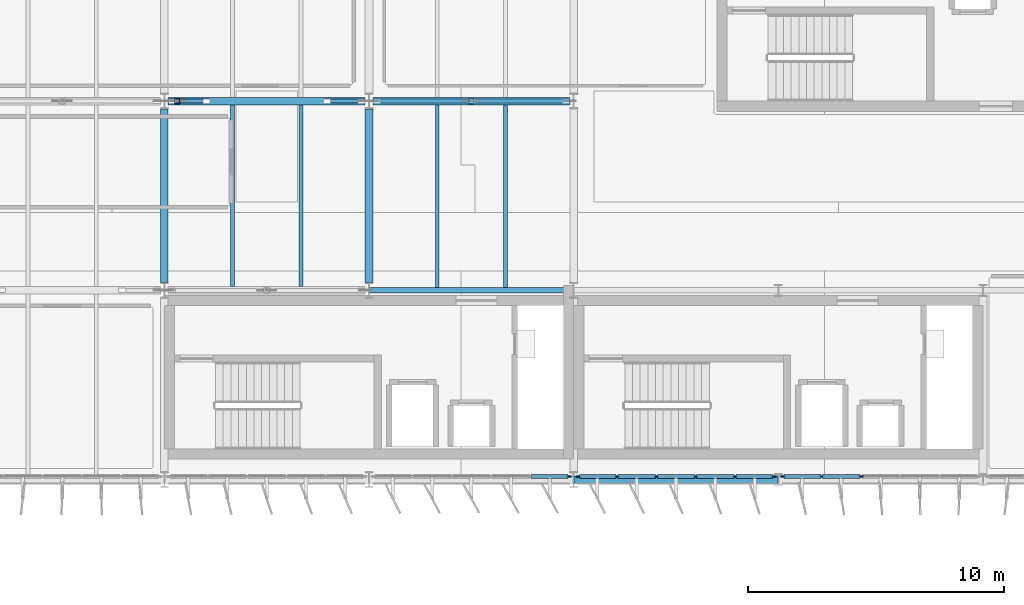
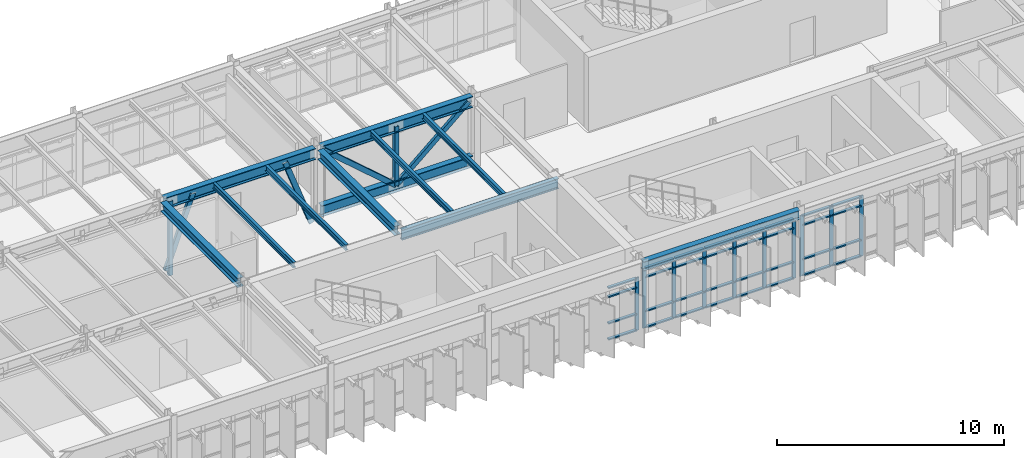
# One storey, part 12 of 56: 51 members, 8 beams, 3 elements without a shape of their own.
"""IFC4 building model written with IfcOpenShell, lengths in metres."""

from ifc_helpers import new_model, si_unit, direction, frame, origin, origin_2d, place, context, subcontext, project, spatial, rectangle, hollow_rectangle, i_section, extrude, material, layer, layer_set, material_profile, profile_set, type_object, element, aggregate, save


model = new_model("IFC4")

# Units and contexts
model_context = context("Model", 3, precision=1e-05, world=origin(), true_north=direction((0.0, 1.0)))
body_context = subcontext(model_context, "Body", "Model", "MODEL_VIEW")
ifc_project = project(units=[si_unit("LENGTHUNIT", "METRE"), si_unit("AREAUNIT", "SQUARE_METRE"), si_unit("VOLUMEUNIT", "CUBIC_METRE"), si_unit("PLANEANGLEUNIT", "RADIAN"), si_unit("MASSUNIT", "GRAM", prefix="KILO")], contexts=[model_context])

# Site, building, storey
site_placement = place(None, origin())
site = spatial("IfcSite", under=ifc_project, at=site_placement, CompositionType="ELEMENT")
building_placement = place(site_placement, origin())
building = spatial("IfcBuilding", under=site, at=building_placement, Name="Valkorina Park Police Headquarters", CompositionType="ELEMENT")
storey_placement = place(building_placement, frame((0.0, 0.0, 14.10009765625)))
storey = spatial("IfcBuildingStorey", under=building, at=storey_placement, Name="L04", CompositionType="ELEMENT", Elevation=14.10009765625)

# Beams
ifc_material_1 = material(Name="Steel S355", Category="steel")
ifc_material_profile_1 = material_profile(ifc_material_1, i_section(OverallWidth=0.300048828125, OverallDepth=0.489990234375, WebThickness=0.011962890625, FlangeThickness=0.02294921875, FilletRadius=0.027099609375, at=origin_2d()), Name="HEA 500")
ifc_profile_set_1 = profile_set([ifc_material_profile_1], Name="Steel S355")
beam_type_1 = type_object("IfcBeamType", Name="BM-S355-HEA500-BM", PredefinedType="BEAM", material=ifc_profile_set_1)
for number, where, z_axis, x_axis, name in (
    (1, (16.800048828125, 44.699951171875, 3.510009765625), (0.0, 1.0, 0.0), (-1.0, 0.0, 0.0), "L04 Framing Beam 2310"),
    (2, (24.800048828125, 44.699951171875, 3.510009765625), (0.0, 1.0, 0.0), (-1.0, 0.0, 0.0), "L04 Framing Beam 2316"),
):
    element("IfcBeam", number, at=place(storey_placement, frame(where, z_axis=z_axis, x_axis=x_axis)), inside=storey, type_object=beam_type_1, Name=name, PredefinedType="BEAM", context=body_context, shape_type="SweptSolid", body=[
        extrude(i_section(OverallWidth=0.300048828125, OverallDepth=0.489990234375, WebThickness=0.011962890625, FlangeThickness=0.02294921875, FilletRadius=0.027099609375, at=origin_2d()), origin(), (0.0, 0.0, 1.0), 6.800048828125),
    ])
ifc_material_profile_2 = material_profile(ifc_material_1, i_section(OverallWidth=0.300048828125, OverallDepth=0.489990234375, WebThickness=0.011962890625, FlangeThickness=0.02294921875, FilletRadius=0.027099609375, at=origin_2d()), Name="HEA 500")
ifc_profile_set_2 = profile_set([ifc_material_profile_2], Name="Steel S355")
beam_type_2 = type_object("IfcBeamType", Name="BM-S355-HEA500-SPN", PredefinedType="SPANDREL", material=ifc_profile_set_2)
beam_1_placement = place(storey_placement, frame((32.8076171875, 37.0, 3.510009765625), z_axis=(1.0, 0.0, 0.0), x_axis=(0.0, 1.0, 0.0)))
element("IfcBeam", 3, at=beam_1_placement, inside=storey, type_object=beam_type_2, Name="L04 Framing Beam 2218", PredefinedType="SPANDREL", context=body_context, shape_type="SweptSolid", body=[
    extrude(i_section(OverallWidth=0.300048828125, OverallDepth=0.489990234375, WebThickness=0.011962890625, FlangeThickness=0.02294921875, FilletRadius=0.027099609375, at=origin_2d()), origin(), (0.0, 0.0, 1.0), 7.9853515625),
])
ifc_material_profile_3 = material_profile(ifc_material_1, i_section(OverallWidth=0.14990234375, OverallDepth=0.300048828125, WebThickness=0.007080078125, FlangeThickness=0.0107421875, FilletRadius=0.014892578125, at=origin_2d()), Name="IPE 300")
ifc_profile_set_3 = profile_set([ifc_material_profile_3], Name="Steel S355")
beam_type_3 = type_object("IfcBeamType", Name="BM-S355-IPE300-JST", PredefinedType="JOIST", material=ifc_profile_set_3)
for number, where, z_axis, x_axis, name in (
    (4, (19.466796875, 44.550048828125, 3.60498046875), (0.0, 1.0, 0.0), (-1.0, 0.0, 0.0), "L04 Framing Beam 2311"),
    (5, (22.13330078125, 44.550048828125, 3.60498046875), (0.0, 1.0, 0.0), (-1.0, 0.0, 0.0), "L04 Framing Beam 2312"),
):
    element("IfcBeam", number, at=place(storey_placement, frame(where, z_axis=z_axis, x_axis=x_axis)), inside=storey, type_object=beam_type_3, Name=name, PredefinedType="JOIST", context=body_context, shape_type="SweptSolid", body=[
        extrude(i_section(OverallWidth=0.14990234375, OverallDepth=0.300048828125, WebThickness=0.007080078125, FlangeThickness=0.0107421875, FilletRadius=0.014892578125, at=origin_2d()), origin(), (0.0, 0.0, 1.0), 7.099853515625),
    ])
for number, where, z_axis, x_axis, name in (
    (6, (27.466796875, 44.5048828125, 3.60498046875), (0.0, 1.0, 0.0), (-1.0, 0.0, 0.0), "L04 Framing Beam 2317"),
    (7, (30.13330078125, 44.5048828125, 3.60498046875), (0.0, 1.0, 0.0), (-1.0, 0.0, 0.0), "L04 Framing Beam 2318"),
):
    element("IfcBeam", number, at=place(storey_placement, frame(where, z_axis=z_axis, x_axis=x_axis)), inside=storey, type_object=beam_type_3, Name=name, PredefinedType="JOIST", context=body_context, shape_type="SweptSolid", body=[
        extrude(i_section(OverallWidth=0.14990234375, OverallDepth=0.300048828125, WebThickness=0.007080078125, FlangeThickness=0.0107421875, FilletRadius=0.014892578125, at=origin_2d()), origin(), (0.0, 0.0, 1.0), 7.14501953125),
    ])
ifc_material_profile_4 = material_profile(ifc_material_1, i_section(OverallWidth=0.2099609375, OverallDepth=0.550048828125, WebThickness=0.010986328125, FlangeThickness=0.01708984375, FilletRadius=0.02392578125, at=origin_2d()), Name="IPE 550")
ifc_profile_set_4 = profile_set([ifc_material_profile_4], Name="Steel S355")
beam_type_4 = type_object("IfcBeamType", Name="BM-S355-IPE550-BM", PredefinedType="BEAM", material=ifc_profile_set_4)
beam_2_placement = place(storey_placement, frame((24.8076171875, 44.39990234375, 3.47998046875), z_axis=(1.0, 0.0, 0.0), x_axis=(0.0, 1.0, 0.0)))
element("IfcBeam", 8, at=beam_2_placement, inside=storey, type_object=beam_type_4, Name="L04 Framing Beam 2229", PredefinedType="BEAM", context=body_context, shape_type="SweptSolid", body=[
    extrude(i_section(OverallWidth=0.2099609375, OverallDepth=0.550048828125, WebThickness=0.010986328125, FlangeThickness=0.01708984375, FilletRadius=0.02392578125, at=origin_2d()), origin(), (0.0, 0.0, 1.0), 7.984619140625),
])

# Curtain wall, members
ifc_material_2 = material(Name="Thermally broken aluminium AW-6060", Category="aluminium")
ifc_layer_1 = layer(ifc_material_2, 0.18994140625)
ifc_layer_set_1 = layer_set([ifc_layer_1], Name="Thermally broken aluminium AW-6060")
curtain_wall_type_1 = type_object("IfcCurtainWallType", Name="CW-V5-7680x3260", PredefinedType="NOTDEFINED", material=ifc_layer_set_1)
curtain_wall_1_placement = place(storey_placement, origin())
curtain_wall_1 = element("IfcCurtainWall", 9, at=curtain_wall_1_placement, inside=storey, type_object=curtain_wall_type_1, Name="L04 Unitised Curtain Wall 052", PredefinedType="NOTDEFINED")
ifc_material_profile_5 = material_profile(ifc_material_2, rectangle(XDim=0.070068359375, YDim=0.18994140625, at=origin_2d()), Name="CWM-02 70x190")
ifc_profile_set_5 = profile_set([ifc_material_profile_5], Name="Thermally broken aluminium AW-6060")
member_type_1 = type_object("IfcMemberType", Name="CWM-70x190", PredefinedType="MULLION", material=ifc_profile_set_5)
member_1_placement = place(storey_placement, frame((44.031982421875, 37.1201171875, 0.0), z_axis=(0.0, 0.0, 1.0), x_axis=(0.0, -1.0, 0.0)))
member_1 = element("IfcMember", 10, at=member_1_placement, type_object=member_type_1, Name="CW-V5-768-326 mullion 4", PredefinedType="MULLION", context=body_context, shape_type="SweptSolid", body=[
    extrude(rectangle(XDim=0.070068359375, YDim=0.18994140625, at=origin_2d()), origin(), (0.0, 0.0, 1.0), 3.2548828125),
])
member_2_placement = place(storey_placement, frame((42.49609375, 37.1201171875, 0.0), z_axis=(0.0, 0.0, 1.0), x_axis=(0.0, -1.0, 0.0)))
member_2 = element("IfcMember", 11, at=member_2_placement, type_object=member_type_1, Name="CW-V5-768-326 mullion 5", PredefinedType="MULLION", context=body_context, shape_type="SweptSolid", body=[
    extrude(rectangle(XDim=0.070068359375, YDim=0.18994140625, at=origin_2d()), origin(), (0.0, 0.0, 1.0), 3.2548828125),
])
member_3_placement = place(storey_placement, frame((40.9951171875, 37.1201171875, 0.0), z_axis=(0.0, 0.0, 1.0), x_axis=(0.0, -1.0, 0.0)))
member_3 = element("IfcMember", 12, at=member_3_placement, type_object=member_type_1, Name="CW-V5-768-326 mullion 6", PredefinedType="MULLION", context=body_context, shape_type="SweptSolid", body=[
    extrude(rectangle(XDim=0.070068359375, YDim=0.18994140625, at=origin_2d()), origin(), (0.0, 0.0, 1.0), 3.2548828125),
])

curtain_wall_2_placement = place(storey_placement, origin())
curtain_wall_2 = element("IfcCurtainWall", 13, at=curtain_wall_2_placement, inside=storey, type_object=curtain_wall_type_1, Name="L04 Unitised Curtain Wall 053", PredefinedType="NOTDEFINED")
member_4_placement = place(storey_placement, frame((40.60498046875, 37.1201171875, 0.0), z_axis=(0.0, 0.0, 1.0), x_axis=(0.0, -1.0, 0.0)))
member_4 = element("IfcMember", 14, at=member_4_placement, type_object=member_type_1, Name="CW-V5-768-326 mullion 1", PredefinedType="MULLION", context=body_context, shape_type="SweptSolid", body=[
    extrude(rectangle(XDim=0.070068359375, YDim=0.18994140625, at=origin_2d()), origin(), (0.0, 0.0, 1.0), 3.2548828125),
])
member_5_placement = place(storey_placement, frame((39.10400390625, 37.1201171875, 0.0), z_axis=(0.0, 0.0, 1.0), x_axis=(0.0, -1.0, 0.0)))
member_5 = element("IfcMember", 15, at=member_5_placement, type_object=member_type_1, Name="CW-V5-768-326 mullion 2", PredefinedType="MULLION", context=body_context, shape_type="SweptSolid", body=[
    extrude(rectangle(XDim=0.070068359375, YDim=0.18994140625, at=origin_2d()), origin(), (0.0, 0.0, 1.0), 3.2548828125),
])
member_6_placement = place(storey_placement, frame((37.568115234375, 37.1201171875, 0.0), z_axis=(0.0, 0.0, 1.0), x_axis=(0.0, -1.0, 0.0)))
member_6 = element("IfcMember", 16, at=member_6_placement, type_object=member_type_1, Name="CW-V5-768-326 mullion 3", PredefinedType="MULLION", context=body_context, shape_type="SweptSolid", body=[
    extrude(rectangle(XDim=0.070068359375, YDim=0.18994140625, at=origin_2d()), origin(), (0.0, 0.0, 1.0), 3.2548828125),
])
member_7_placement = place(storey_placement, frame((36.031982421875, 37.1201171875, 0.0), z_axis=(0.0, 0.0, 1.0), x_axis=(0.0, -1.0, 0.0)))
member_7 = element("IfcMember", 17, at=member_7_placement, type_object=member_type_1, Name="CW-V5-768-326 mullion 4", PredefinedType="MULLION", context=body_context, shape_type="SweptSolid", body=[
    extrude(rectangle(XDim=0.070068359375, YDim=0.18994140625, at=origin_2d()), origin(), (0.0, 0.0, 1.0), 3.2548828125),
])
member_8_placement = place(storey_placement, frame((34.49609375, 37.1201171875, 0.0), z_axis=(0.0, 0.0, 1.0), x_axis=(0.0, -1.0, 0.0)))
member_8 = element("IfcMember", 18, at=member_8_placement, type_object=member_type_1, Name="CW-V5-768-326 mullion 5", PredefinedType="MULLION", context=body_context, shape_type="SweptSolid", body=[
    extrude(rectangle(XDim=0.070068359375, YDim=0.18994140625, at=origin_2d()), origin(), (0.0, 0.0, 1.0), 3.2548828125),
])
member_9_placement = place(storey_placement, frame((32.9951171875, 37.1201171875, 0.0), z_axis=(0.0, 0.0, 1.0), x_axis=(0.0, -1.0, 0.0)))
member_9 = element("IfcMember", 19, at=member_9_placement, type_object=member_type_1, Name="CW-V5-768-326 mullion 6", PredefinedType="MULLION", context=body_context, shape_type="SweptSolid", body=[
    extrude(rectangle(XDim=0.070068359375, YDim=0.18994140625, at=origin_2d()), origin(), (0.0, 0.0, 1.0), 3.2548828125),
])

# Curtain wall, member
ifc_layer_2 = layer(ifc_material_2, 0.18994140625)
ifc_layer_set_2 = layer_set([ifc_layer_2], Name="Thermally broken aluminium AW-6060")
curtain_wall_type_2 = type_object("IfcCurtainWallType", Name="CW-V5-7680x2840", PredefinedType="NOTDEFINED", material=ifc_layer_set_2)
curtain_wall_3_placement = place(storey_placement, origin())
curtain_wall_3 = element("IfcCurtainWall", 20, at=curtain_wall_3_placement, inside=storey, type_object=curtain_wall_type_2, Name="L04 Unitised Curtain Wall 054", PredefinedType="NOTDEFINED")
member_10_placement = place(storey_placement, frame((32.60498046875, 37.1201171875, 0.0), z_axis=(0.0, 0.0, 1.0), x_axis=(0.0, -1.0, 0.0)))
member_10 = element("IfcMember", 21, at=member_10_placement, type_object=member_type_1, Name="CW-V5-768-284 mullion 1", PredefinedType="MULLION", context=body_context, shape_type="SweptSolid", body=[
    extrude(rectangle(XDim=0.070068359375, YDim=0.18994140625, at=origin_2d()), origin(), (0.0, 0.0, 1.0), 2.844970703125),
])

# Member
ifc_material_profile_6 = material_profile(ifc_material_2, rectangle(XDim=0.14990234375, YDim=0.070068359375, at=origin_2d()), Name="CWT-02 150x70")
ifc_profile_set_6 = profile_set([ifc_material_profile_6], Name="Thermally broken aluminium AW-6060")
member_type_2 = type_object("IfcMemberType", Name="CWT-150x70", PredefinedType="USERDEFINED", material=ifc_profile_set_6)
member_11_placement = place(storey_placement, frame((43.9970703125, 37.1201171875, 0.034912109375), z_axis=(-1.0, 0.0, 0.0), x_axis=(0.0, -1.0, 0.0)))
member_11 = element("IfcMember", 22, at=member_11_placement, type_object=member_type_2, Name="CW-V5-768-326 transom 4.1", ObjectType="TRANSOM", PredefinedType="USERDEFINED", context=body_context, shape_type="SweptSolid", body=[
    extrude(rectangle(XDim=0.14990234375, YDim=0.070068359375, at=origin_2d()), origin(), (0.0, 0.0, 1.0), 1.466064453125),
])

member_12_placement = place(storey_placement, frame((43.9970703125, 37.1201171875, 0.89990234375), z_axis=(-1.0, 0.0, 0.0), x_axis=(0.0, -1.0, 0.0)))
member_12 = element("IfcMember", 23, at=member_12_placement, type_object=member_type_2, Name="CW-V5-768-326 transom 4.2", ObjectType="TRANSOM", PredefinedType="USERDEFINED", context=body_context, shape_type="SweptSolid", body=[
    extrude(rectangle(XDim=0.14990234375, YDim=0.070068359375, at=origin_2d()), origin(), (0.0, 0.0, 1.0), 1.466064453125),
])

member_13_placement = place(storey_placement, frame((43.9970703125, 37.1201171875, 2.73486328125), z_axis=(-1.0, 0.0, 0.0), x_axis=(0.0, -1.0, 0.0)))
member_13 = element("IfcMember", 24, at=member_13_placement, type_object=member_type_2, Name="CW-V5-768-326 transom 4.3", ObjectType="TRANSOM", PredefinedType="USERDEFINED", context=body_context, shape_type="SweptSolid", body=[
    extrude(rectangle(XDim=0.14990234375, YDim=0.070068359375, at=origin_2d()), origin(), (0.0, 0.0, 1.0), 1.466064453125),
])

member_14_placement = place(storey_placement, frame((43.9970703125, 37.1201171875, 3.219970703125), z_axis=(-1.0, 0.0, 0.0), x_axis=(0.0, -1.0, 0.0)))
member_14 = element("IfcMember", 25, at=member_14_placement, type_object=member_type_2, Name="CW-V5-768-326 transom 4.4", ObjectType="TRANSOM", PredefinedType="USERDEFINED", context=body_context, shape_type="SweptSolid", body=[
    extrude(rectangle(XDim=0.14990234375, YDim=0.070068359375, at=origin_2d()), origin(), (0.0, 0.0, 1.0), 1.466064453125),
])

member_15_placement = place(storey_placement, frame((42.4609375, 37.1201171875, 0.034912109375), z_axis=(-1.0, 0.0, 0.0), x_axis=(0.0, -1.0, 0.0)))
member_15 = element("IfcMember", 26, at=member_15_placement, type_object=member_type_2, Name="CW-V5-768-326 transom 5.1", ObjectType="TRANSOM", PredefinedType="USERDEFINED", context=body_context, shape_type="SweptSolid", body=[
    extrude(rectangle(XDim=0.14990234375, YDim=0.070068359375, at=origin_2d()), origin(), (0.0, 0.0, 1.0), 1.430908203125),
])

member_16_placement = place(storey_placement, frame((42.4609375, 37.1201171875, 0.89990234375), z_axis=(-1.0, 0.0, 0.0), x_axis=(0.0, -1.0, 0.0)))
member_16 = element("IfcMember", 27, at=member_16_placement, type_object=member_type_2, Name="CW-V5-768-326 transom 5.2", ObjectType="TRANSOM", PredefinedType="USERDEFINED", context=body_context, shape_type="SweptSolid", body=[
    extrude(rectangle(XDim=0.14990234375, YDim=0.070068359375, at=origin_2d()), origin(), (0.0, 0.0, 1.0), 1.430908203125),
])

member_17_placement = place(storey_placement, frame((42.4609375, 37.1201171875, 2.73486328125), z_axis=(-1.0, 0.0, 0.0), x_axis=(0.0, -1.0, 0.0)))
member_17 = element("IfcMember", 28, at=member_17_placement, type_object=member_type_2, Name="CW-V5-768-326 transom 5.3", ObjectType="TRANSOM", PredefinedType="USERDEFINED", context=body_context, shape_type="SweptSolid", body=[
    extrude(rectangle(XDim=0.14990234375, YDim=0.070068359375, at=origin_2d()), origin(), (0.0, 0.0, 1.0), 1.430908203125),
])

member_18_placement = place(storey_placement, frame((42.4609375, 37.1201171875, 3.219970703125), z_axis=(-1.0, 0.0, 0.0), x_axis=(0.0, -1.0, 0.0)))
member_18 = element("IfcMember", 29, at=member_18_placement, type_object=member_type_2, Name="CW-V5-768-326 transom 5.4", ObjectType="TRANSOM", PredefinedType="USERDEFINED", context=body_context, shape_type="SweptSolid", body=[
    extrude(rectangle(XDim=0.14990234375, YDim=0.070068359375, at=origin_2d()), origin(), (0.0, 0.0, 1.0), 1.430908203125),
])

aggregate(curtain_wall_1, [member_1, member_2, member_3, member_11, member_12, member_13, member_14, member_15, member_16, member_17, member_18])

member_19_placement = place(storey_placement, frame((40.570068359375, 37.1201171875, 0.034912109375), z_axis=(-1.0, 0.0, 0.0), x_axis=(0.0, -1.0, 0.0)))
member_19 = element("IfcMember", 30, at=member_19_placement, type_object=member_type_2, Name="CW-V5-768-326 transom 1.1", ObjectType="TRANSOM", PredefinedType="USERDEFINED", context=body_context, shape_type="SweptSolid", body=[
    extrude(rectangle(XDim=0.14990234375, YDim=0.070068359375, at=origin_2d()), origin(), (0.0, 0.0, 1.0), 1.43115234375),
])

member_20_placement = place(storey_placement, frame((40.570068359375, 37.1201171875, 0.89990234375), z_axis=(-1.0, 0.0, 0.0), x_axis=(0.0, -1.0, 0.0)))
member_20 = element("IfcMember", 31, at=member_20_placement, type_object=member_type_2, Name="CW-V5-768-326 transom 1.2", ObjectType="TRANSOM", PredefinedType="USERDEFINED", context=body_context, shape_type="SweptSolid", body=[
    extrude(rectangle(XDim=0.14990234375, YDim=0.070068359375, at=origin_2d()), origin(), (0.0, 0.0, 1.0), 1.43115234375),
])

member_21_placement = place(storey_placement, frame((40.570068359375, 37.1201171875, 2.73486328125), z_axis=(-1.0, 0.0, 0.0), x_axis=(0.0, -1.0, 0.0)))
member_21 = element("IfcMember", 32, at=member_21_placement, type_object=member_type_2, Name="CW-V5-768-326 transom 1.3", ObjectType="TRANSOM", PredefinedType="USERDEFINED", context=body_context, shape_type="SweptSolid", body=[
    extrude(rectangle(XDim=0.14990234375, YDim=0.070068359375, at=origin_2d()), origin(), (0.0, 0.0, 1.0), 1.43115234375),
])

member_22_placement = place(storey_placement, frame((40.570068359375, 37.1201171875, 3.219970703125), z_axis=(-1.0, 0.0, 0.0), x_axis=(0.0, -1.0, 0.0)))
member_22 = element("IfcMember", 33, at=member_22_placement, type_object=member_type_2, Name="CW-V5-768-326 transom 1.4", ObjectType="TRANSOM", PredefinedType="USERDEFINED", context=body_context, shape_type="SweptSolid", body=[
    extrude(rectangle(XDim=0.14990234375, YDim=0.070068359375, at=origin_2d()), origin(), (0.0, 0.0, 1.0), 1.43115234375),
])

member_23_placement = place(storey_placement, frame((39.069091796875, 37.1201171875, 0.034912109375), z_axis=(-1.0, 0.0, 0.0), x_axis=(0.0, -1.0, 0.0)))
member_23 = element("IfcMember", 34, at=member_23_placement, type_object=member_type_2, Name="CW-V5-768-326 transom 2.1", ObjectType="TRANSOM", PredefinedType="USERDEFINED", context=body_context, shape_type="SweptSolid", body=[
    extrude(rectangle(XDim=0.14990234375, YDim=0.070068359375, at=origin_2d()), origin(), (0.0, 0.0, 1.0), 1.466064453125),
])

member_24_placement = place(storey_placement, frame((39.069091796875, 37.1201171875, 0.89990234375), z_axis=(-1.0, 0.0, 0.0), x_axis=(0.0, -1.0, 0.0)))
member_24 = element("IfcMember", 35, at=member_24_placement, type_object=member_type_2, Name="CW-V5-768-326 transom 2.2", ObjectType="TRANSOM", PredefinedType="USERDEFINED", context=body_context, shape_type="SweptSolid", body=[
    extrude(rectangle(XDim=0.14990234375, YDim=0.070068359375, at=origin_2d()), origin(), (0.0, 0.0, 1.0), 1.466064453125),
])

member_25_placement = place(storey_placement, frame((39.069091796875, 37.1201171875, 2.73486328125), z_axis=(-1.0, 0.0, 0.0), x_axis=(0.0, -1.0, 0.0)))
member_25 = element("IfcMember", 36, at=member_25_placement, type_object=member_type_2, Name="CW-V5-768-326 transom 2.3", ObjectType="TRANSOM", PredefinedType="USERDEFINED", context=body_context, shape_type="SweptSolid", body=[
    extrude(rectangle(XDim=0.14990234375, YDim=0.070068359375, at=origin_2d()), origin(), (0.0, 0.0, 1.0), 1.466064453125),
])

member_26_placement = place(storey_placement, frame((39.069091796875, 37.1201171875, 3.219970703125), z_axis=(-1.0, 0.0, 0.0), x_axis=(0.0, -1.0, 0.0)))
member_26 = element("IfcMember", 37, at=member_26_placement, type_object=member_type_2, Name="CW-V5-768-326 transom 2.4", ObjectType="TRANSOM", PredefinedType="USERDEFINED", context=body_context, shape_type="SweptSolid", body=[
    extrude(rectangle(XDim=0.14990234375, YDim=0.070068359375, at=origin_2d()), origin(), (0.0, 0.0, 1.0), 1.466064453125),
])

member_27_placement = place(storey_placement, frame((37.532958984375, 37.1201171875, 0.034912109375), z_axis=(-1.0, 0.0, 0.0), x_axis=(0.0, -1.0, 0.0)))
member_27 = element("IfcMember", 38, at=member_27_placement, type_object=member_type_2, Name="CW-V5-768-326 transom 3.1", ObjectType="TRANSOM", PredefinedType="USERDEFINED", context=body_context, shape_type="SweptSolid", body=[
    extrude(rectangle(XDim=0.14990234375, YDim=0.070068359375, at=origin_2d()), origin(), (0.0, 0.0, 1.0), 1.466064453125),
])

member_28_placement = place(storey_placement, frame((37.532958984375, 37.1201171875, 0.89990234375), z_axis=(-1.0, 0.0, 0.0), x_axis=(0.0, -1.0, 0.0)))
member_28 = element("IfcMember", 39, at=member_28_placement, type_object=member_type_2, Name="CW-V5-768-326 transom 3.2", ObjectType="TRANSOM", PredefinedType="USERDEFINED", context=body_context, shape_type="SweptSolid", body=[
    extrude(rectangle(XDim=0.14990234375, YDim=0.070068359375, at=origin_2d()), origin(), (0.0, 0.0, 1.0), 1.466064453125),
])

member_29_placement = place(storey_placement, frame((37.532958984375, 37.1201171875, 2.73486328125), z_axis=(-1.0, 0.0, 0.0), x_axis=(0.0, -1.0, 0.0)))
member_29 = element("IfcMember", 40, at=member_29_placement, type_object=member_type_2, Name="CW-V5-768-326 transom 3.3", ObjectType="TRANSOM", PredefinedType="USERDEFINED", context=body_context, shape_type="SweptSolid", body=[
    extrude(rectangle(XDim=0.14990234375, YDim=0.070068359375, at=origin_2d()), origin(), (0.0, 0.0, 1.0), 1.466064453125),
])

member_30_placement = place(storey_placement, frame((37.532958984375, 37.1201171875, 3.219970703125), z_axis=(-1.0, 0.0, 0.0), x_axis=(0.0, -1.0, 0.0)))
member_30 = element("IfcMember", 41, at=member_30_placement, type_object=member_type_2, Name="CW-V5-768-326 transom 3.4", ObjectType="TRANSOM", PredefinedType="USERDEFINED", context=body_context, shape_type="SweptSolid", body=[
    extrude(rectangle(XDim=0.14990234375, YDim=0.070068359375, at=origin_2d()), origin(), (0.0, 0.0, 1.0), 1.466064453125),
])

member_31_placement = place(storey_placement, frame((35.9970703125, 37.1201171875, 0.034912109375), z_axis=(-1.0, 0.0, 0.0), x_axis=(0.0, -1.0, 0.0)))
member_31 = element("IfcMember", 42, at=member_31_placement, type_object=member_type_2, Name="CW-V5-768-326 transom 4.1", ObjectType="TRANSOM", PredefinedType="USERDEFINED", context=body_context, shape_type="SweptSolid", body=[
    extrude(rectangle(XDim=0.14990234375, YDim=0.070068359375, at=origin_2d()), origin(), (0.0, 0.0, 1.0), 1.466064453125),
])

member_32_placement = place(storey_placement, frame((35.9970703125, 37.1201171875, 0.89990234375), z_axis=(-1.0, 0.0, 0.0), x_axis=(0.0, -1.0, 0.0)))
member_32 = element("IfcMember", 43, at=member_32_placement, type_object=member_type_2, Name="CW-V5-768-326 transom 4.2", ObjectType="TRANSOM", PredefinedType="USERDEFINED", context=body_context, shape_type="SweptSolid", body=[
    extrude(rectangle(XDim=0.14990234375, YDim=0.070068359375, at=origin_2d()), origin(), (0.0, 0.0, 1.0), 1.466064453125),
])

member_33_placement = place(storey_placement, frame((35.9970703125, 37.1201171875, 2.73486328125), z_axis=(-1.0, 0.0, 0.0), x_axis=(0.0, -1.0, 0.0)))
member_33 = element("IfcMember", 44, at=member_33_placement, type_object=member_type_2, Name="CW-V5-768-326 transom 4.3", ObjectType="TRANSOM", PredefinedType="USERDEFINED", context=body_context, shape_type="SweptSolid", body=[
    extrude(rectangle(XDim=0.14990234375, YDim=0.070068359375, at=origin_2d()), origin(), (0.0, 0.0, 1.0), 1.466064453125),
])

member_34_placement = place(storey_placement, frame((35.9970703125, 37.1201171875, 3.219970703125), z_axis=(-1.0, 0.0, 0.0), x_axis=(0.0, -1.0, 0.0)))
member_34 = element("IfcMember", 45, at=member_34_placement, type_object=member_type_2, Name="CW-V5-768-326 transom 4.4", ObjectType="TRANSOM", PredefinedType="USERDEFINED", context=body_context, shape_type="SweptSolid", body=[
    extrude(rectangle(XDim=0.14990234375, YDim=0.070068359375, at=origin_2d()), origin(), (0.0, 0.0, 1.0), 1.466064453125),
])

member_35_placement = place(storey_placement, frame((34.4609375, 37.1201171875, 0.034912109375), z_axis=(-1.0, 0.0, 0.0), x_axis=(0.0, -1.0, 0.0)))
member_35 = element("IfcMember", 46, at=member_35_placement, type_object=member_type_2, Name="CW-V5-768-326 transom 5.1", ObjectType="TRANSOM", PredefinedType="USERDEFINED", context=body_context, shape_type="SweptSolid", body=[
    extrude(rectangle(XDim=0.14990234375, YDim=0.070068359375, at=origin_2d()), origin(), (0.0, 0.0, 1.0), 1.430908203125),
])

member_36_placement = place(storey_placement, frame((34.4609375, 37.1201171875, 0.89990234375), z_axis=(-1.0, 0.0, 0.0), x_axis=(0.0, -1.0, 0.0)))
member_36 = element("IfcMember", 47, at=member_36_placement, type_object=member_type_2, Name="CW-V5-768-326 transom 5.2", ObjectType="TRANSOM", PredefinedType="USERDEFINED", context=body_context, shape_type="SweptSolid", body=[
    extrude(rectangle(XDim=0.14990234375, YDim=0.070068359375, at=origin_2d()), origin(), (0.0, 0.0, 1.0), 1.430908203125),
])

member_37_placement = place(storey_placement, frame((34.4609375, 37.1201171875, 2.73486328125), z_axis=(-1.0, 0.0, 0.0), x_axis=(0.0, -1.0, 0.0)))
member_37 = element("IfcMember", 48, at=member_37_placement, type_object=member_type_2, Name="CW-V5-768-326 transom 5.3", ObjectType="TRANSOM", PredefinedType="USERDEFINED", context=body_context, shape_type="SweptSolid", body=[
    extrude(rectangle(XDim=0.14990234375, YDim=0.070068359375, at=origin_2d()), origin(), (0.0, 0.0, 1.0), 1.430908203125),
])

member_38_placement = place(storey_placement, frame((34.4609375, 37.1201171875, 3.219970703125), z_axis=(-1.0, 0.0, 0.0), x_axis=(0.0, -1.0, 0.0)))
member_38 = element("IfcMember", 49, at=member_38_placement, type_object=member_type_2, Name="CW-V5-768-326 transom 5.4", ObjectType="TRANSOM", PredefinedType="USERDEFINED", context=body_context, shape_type="SweptSolid", body=[
    extrude(rectangle(XDim=0.14990234375, YDim=0.070068359375, at=origin_2d()), origin(), (0.0, 0.0, 1.0), 1.430908203125),
])

aggregate(curtain_wall_2, [member_4, member_5, member_6, member_7, member_8, member_9, member_19, member_20, member_21, member_22, member_23, member_24, member_25, member_26, member_27, member_28, member_29, member_30, member_31, member_32, member_33, member_34, member_35, member_36, member_37, member_38])

member_39_placement = place(storey_placement, frame((32.570068359375, 37.1201171875, 0.034912109375), z_axis=(-1.0, 0.0, 0.0), x_axis=(0.0, -1.0, 0.0)))
member_39 = element("IfcMember", 50, at=member_39_placement, type_object=member_type_2, Name="CW-V5-768-284 transom 1.1", ObjectType="TRANSOM", PredefinedType="USERDEFINED", context=body_context, shape_type="SweptSolid", body=[
    extrude(rectangle(XDim=0.14990234375, YDim=0.070068359375, at=origin_2d()), origin(), (0.0, 0.0, 1.0), 1.43115234375),
])

member_40_placement = place(storey_placement, frame((32.570068359375, 37.1201171875, 0.89990234375), z_axis=(-1.0, 0.0, 0.0), x_axis=(0.0, -1.0, 0.0)))
member_40 = element("IfcMember", 51, at=member_40_placement, type_object=member_type_2, Name="CW-V5-768-284 transom 1.2", ObjectType="TRANSOM", PredefinedType="USERDEFINED", context=body_context, shape_type="SweptSolid", body=[
    extrude(rectangle(XDim=0.14990234375, YDim=0.070068359375, at=origin_2d()), origin(), (0.0, 0.0, 1.0), 1.43115234375),
])

member_41_placement = place(storey_placement, frame((32.570068359375, 37.1201171875, 2.324951171875), z_axis=(-1.0, 0.0, 0.0), x_axis=(0.0, -1.0, 0.0)))
member_41 = element("IfcMember", 52, at=member_41_placement, type_object=member_type_2, Name="CW-V5-768-284 transom 1.3", ObjectType="TRANSOM", PredefinedType="USERDEFINED", context=body_context, shape_type="SweptSolid", body=[
    extrude(rectangle(XDim=0.14990234375, YDim=0.070068359375, at=origin_2d()), origin(), (0.0, 0.0, 1.0), 1.43115234375),
])

member_42_placement = place(storey_placement, frame((32.570068359375, 37.1201171875, 2.809814453125), z_axis=(-1.0, 0.0, 0.0), x_axis=(0.0, -1.0, 0.0)))
member_42 = element("IfcMember", 53, at=member_42_placement, type_object=member_type_2, Name="CW-V5-768-284 transom 1.4", ObjectType="TRANSOM", PredefinedType="USERDEFINED", context=body_context, shape_type="SweptSolid", body=[
    extrude(rectangle(XDim=0.14990234375, YDim=0.070068359375, at=origin_2d()), origin(), (0.0, 0.0, 1.0), 1.43115234375),
])

aggregate(curtain_wall_3, [member_10, member_39, member_40, member_41, member_42])

# Members
ifc_material_profile_7 = material_profile(ifc_material_1, i_section(OverallWidth=0.300048828125, OverallDepth=0.60009765625, WebThickness=0.015380859375, FlangeThickness=0.030029296875, FilletRadius=0.027099609375, at=origin_2d()), Name="HEB 600")
ifc_profile_set_7 = profile_set([ifc_material_profile_7], Name="Steel S355")
member_type_3 = type_object("IfcMemberType", Name="MB-S355-HEB600-CHD", PredefinedType="CHORD", material=ifc_profile_set_7)
for number, where, z_axis, x_axis, name in (
    (54, (16.949951171875, 51.800048828125, 3.454833984375), (1.0, 0.0, 0.0), (0.0, 1.0, 0.0), "Cantilever Truss M2 Top Chord 3"),
    (55, (24.949951171875, 51.800048828125, 0.25), (1.0, 0.0, 0.0), (0.0, 1.0, 0.0), "Cantilever Truss M2 Bottom Chord 4"),
    (56, (24.949951171875, 51.800048828125, 3.454833984375), (1.0, 0.0, 0.0), (0.0, 1.0, 0.0), "Cantilever Truss M2 Top Chord 4"),
):
    element("IfcMember", number, at=place(storey_placement, frame(where, z_axis=z_axis, x_axis=x_axis)), inside=storey, type_object=member_type_3, Name=name, PredefinedType="CHORD", context=body_context, shape_type="SweptSolid", body=[
        extrude(i_section(OverallWidth=0.300048828125, OverallDepth=0.60009765625, WebThickness=0.015380859375, FlangeThickness=0.030029296875, FilletRadius=0.027099609375, at=origin_2d()), origin(), (0.0, 0.0, 1.0), 7.699951171875),
    ])
ifc_material_profile_8 = material_profile(ifc_material_1, hollow_rectangle(XDim=0.14990234375, YDim=0.25, WallThickness=0.010009765625, at=origin_2d()), Name="RHS 250x150x10")
ifc_profile_set_8 = profile_set([ifc_material_profile_8], Name="Steel S355")
member_type_4 = type_object("IfcMemberType", Name="MB-S355-RHS250-WEB", PredefinedType="BRACE", material=ifc_profile_set_8)
for number, where, z_axis, x_axis, name in (
    (57, (17.10009765625, 51.800048828125, -0.2451171875), (0.34273332874, 0.0, 0.939432735948), (0.0, 1.0, 0.0), "Cantilever Truss M2 Web Diagonal 3.1"),
    (58, (23.14990234375, 51.800048828125, 3.454833984375), (0.342788033774, 0.0, -0.939412776101), (0.0, 1.0, 0.0), "Cantilever Truss M2 Web Diagonal 3.2"),
):
    element("IfcMember", number, at=place(storey_placement, frame(where, z_axis=z_axis, x_axis=x_axis)), inside=storey, type_object=member_type_4, Name=name, PredefinedType="BRACE", context=body_context, shape_type="SweptSolid", body=[
        extrude(hollow_rectangle(XDim=0.14990234375, YDim=0.25, WallThickness=0.010009765625, at=origin_2d()), origin(), (0.0, 0.0, 1.0), 3.9384765625),
    ])
for number, where, z_axis, x_axis, name in (
    (59, (25.10009765625, 51.800048828125, 3.454833984375), (0.755870075786, 0.0, -0.654721642022), (0.0, 1.0, 0.0), "Cantilever Truss M2 Web Diagonal 4.1"),
    (60, (28.800048828125, 51.800048828125, 0.25), (0.755870075786, 0.0, 0.654721642022), (0.0, 1.0, 0.0), "Cantilever Truss M2 Web Diagonal 4.2"),
):
    element("IfcMember", number, at=place(storey_placement, frame(where, z_axis=z_axis, x_axis=x_axis)), inside=storey, type_object=member_type_4, Name=name, PredefinedType="BRACE", context=body_context, shape_type="SweptSolid", body=[
        extrude(hollow_rectangle(XDim=0.14990234375, YDim=0.25, WallThickness=0.010009765625, at=origin_2d()), origin(), (0.0, 0.0, 1.0), 4.89501953125),
    ])
ifc_material_profile_9 = material_profile(ifc_material_1, hollow_rectangle(XDim=0.199951171875, YDim=0.199951171875, WallThickness=0.012451171875, at=origin_2d()), Name="SHS 200x200x12.5")
ifc_profile_set_9 = profile_set([ifc_material_profile_9], Name="Steel S355")
member_type_5 = type_object("IfcMemberType", Name="MB-S355-SHS200-STRUT", PredefinedType="BRACE", material=ifc_profile_set_9)
member_43_placement = place(storey_placement, frame((17.300048828125, 51.800048828125, -0.545166015625), z_axis=(0.0, 0.0, 1.0), x_axis=(1.0, 0.0, 0.0)))
element("IfcMember", 61, at=member_43_placement, inside=storey, type_object=member_type_5, Name="Cantilever Truss M2 Vertical Post 3", PredefinedType="BRACE", context=body_context, shape_type="SweptSolid", body=[
    extrude(hollow_rectangle(XDim=0.199951171875, YDim=0.199951171875, WallThickness=0.012451171875, at=origin_2d()), origin(), (0.0, 0.0, 1.0), 4.0),
])
member_44_placement = place(storey_placement, frame((28.800048828125, 51.800048828125, 0.25), z_axis=(0.0, 0.0, 1.0), x_axis=(1.0, 0.0, 0.0)))
element("IfcMember", 62, at=member_44_placement, inside=storey, type_object=member_type_5, Name="Cantilever Truss M2 Vertical Post 4", PredefinedType="BRACE", context=body_context, shape_type="SweptSolid", body=[
    extrude(hollow_rectangle(XDim=0.199951171875, YDim=0.199951171875, WallThickness=0.012451171875, at=origin_2d()), origin(), (0.0, 0.0, 1.0), 3.204833984375),
])

save(model, "model.ifc")
